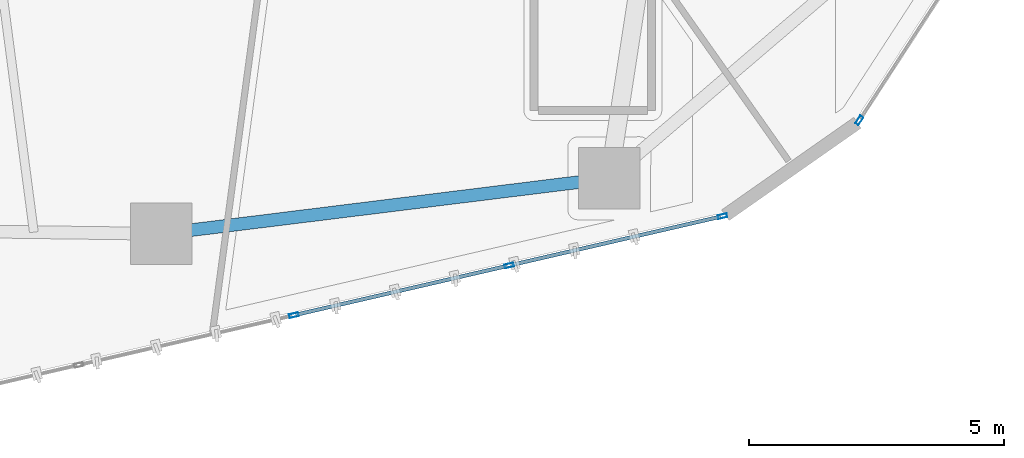
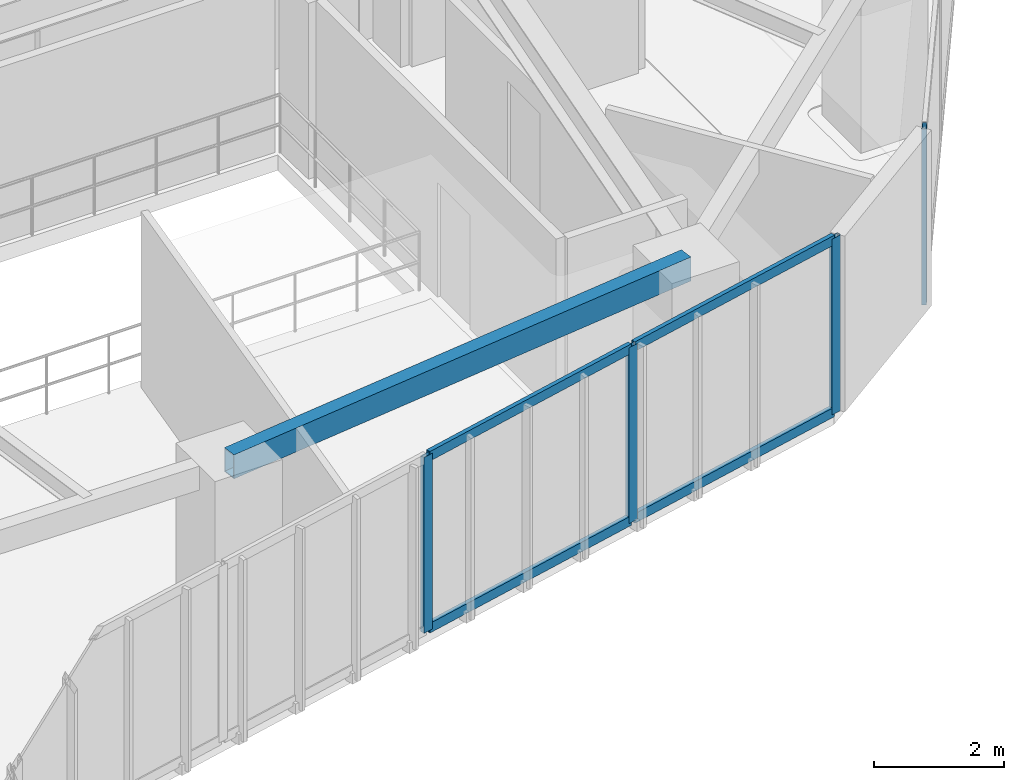
# One storey, part 6 of 21: 8 members, 1 beam, 2 elements without a shape of their own.
"""IFC4 building model written with IfcOpenShell, lengths in metres."""

from ifc_helpers import new_model, si_unit, direction, frame, origin, origin_2d, place, context, subcontext, project, spatial, hollow_rectangle, extrude, source, transform, mapped, material, layer, layer_set, material_profile, profile_set, type_object, type_shapes, element, aggregate, save


model = new_model("IFC4")

# Units and contexts
model_context = context("Model", 3, precision=1e-05, world=origin(), true_north=direction((0.0, 1.0)))
body_context = subcontext(model_context, "Body", "Model", "MODEL_VIEW")
ifc_project = project(units=[si_unit("LENGTHUNIT", "METRE"), si_unit("AREAUNIT", "SQUARE_METRE"), si_unit("VOLUMEUNIT", "CUBIC_METRE"), si_unit("PLANEANGLEUNIT", "RADIAN"), si_unit("MASSUNIT", "GRAM", prefix="KILO")], contexts=[model_context])

# Site, building, storey
site_placement = place(None, origin())
site = spatial("IfcSite", under=ifc_project, at=site_placement, CompositionType="ELEMENT")
building_placement = place(site_placement, origin())
building = spatial("IfcBuilding", under=site, at=building_placement, Name="Talar Marvaseh", CompositionType="ELEMENT")
storey_placement = place(building_placement, frame((0.0, 0.0, 129.0)))
storey = spatial("IfcBuildingStorey", under=building, at=storey_placement, Name="L33", CompositionType="ELEMENT", Elevation=129.0)

# Beam
ifc_material_1 = material(Name="Steel S355", Category="steel")
ifc_material_profile_1 = material_profile(ifc_material_1, hollow_rectangle(XDim=0.25, YDim=0.449951171875, WallThickness=0.01611328125, at=origin_2d()), Name="RHS450x250x16")
ifc_profile_set_1 = profile_set([ifc_material_profile_1], Name="Steel S355")
beam_type = type_object("IfcBeamType", Name="Zone 2 Perimeter Spandrel Beam RHS450x250x16", PredefinedType="SPANDREL", material=ifc_profile_set_1)
beam_placement = place(storey_placement, frame((31.570068359375, 14.26806640625, 3.0849609375), z_axis=(-0.992426007218, -0.122843885468, 0.0), x_axis=(0.122843885468, -0.992426007218, 0.0)))
element("IfcBeam", 1, at=beam_placement, inside=storey, type_object=beam_type, Name="L33 Zone 2 Perimeter Spandrel Beam RHS450x250x16", PredefinedType="SPANDREL", context=body_context, shape_type="SweptSolid", body=[
    extrude(hollow_rectangle(XDim=0.25, YDim=0.449951171875, WallThickness=0.01611328125, at=origin_2d()), origin(), (0.0, 0.0, 1.0), 8.83203125),
])

# Curtain wall, member
ifc_material_2 = material(Name="Architectural Aluminium", Category="aluminium")
ifc_layer = layer(ifc_material_2, 0.199951171875)
ifc_layer_set = layer_set([ifc_layer], Name="Architectural Aluminium")
curtain_wall_type = type_object("IfcCurtainWallType", Name="Unitised Acoustic Library Curtain Wall Z2", PredefinedType="NOTDEFINED", material=ifc_layer_set)
curtain_wall_1_placement = place(storey_placement, origin())
curtain_wall_1 = element("IfcCurtainWall", 2, at=curtain_wall_1_placement, inside=storey, type_object=curtain_wall_type, Name="L33 Unitised Acoustic Library Curtain Wall Z2", PredefinedType="NOTDEFINED")
ifc_material_profile_2 = material_profile(ifc_material_2, hollow_rectangle(XDim=0.074951171875, YDim=0.179931640625, WallThickness=0.0048828125, at=origin_2d()), Name="RHS180x75x5")
ifc_profile_set_2 = profile_set([ifc_material_profile_2], Name="Architectural Aluminium")
member_type_1 = type_object("IfcMemberType", Name="Unitised Curtain Wall Standard Mullion RHS180x75x5", PredefinedType="MULLION", material=ifc_profile_set_2)
shared_shape_1 = source(origin(), body_context, "Body", "SweptSolid", [
    extrude(hollow_rectangle(XDim=0.074951171875, YDim=0.179931640625, WallThickness=0.0048828125, at=origin_2d()), origin(), (0.0, 0.0, 1.0), 3.31005859375),
])
type_shapes(member_type_1, [shared_shape_1])
member_1_placement = place(storey_placement, frame((36.466064453125, 15.4033203125, 0.0), z_axis=(0.0, 0.0, 1.0), x_axis=(0.838585843215, -0.544769477449, 0.0)))
member_1 = element("IfcMember", 3, at=member_1_placement, type_object=member_type_1, Name="CW-Z2 mullion 6", PredefinedType="MULLION", context=body_context, shape_type="MappedRepresentation", body=[
    mapped(shared_shape_1, transform((0.0, 0.0, 0.0), x_axis=(1.0, 0.0, 0.0), y_axis=(0.0, 1.0, 0.0), z_axis=(0.0, 0.0, 1.0), scale=1.0)),
])
aggregate(curtain_wall_1, [member_1])

# Curtain wall, members
curtain_wall_2_placement = place(storey_placement, origin())
curtain_wall_2 = element("IfcCurtainWall", 4, at=curtain_wall_2_placement, inside=storey, type_object=curtain_wall_type, Name="L33 Unitised Acoustic Library Curtain Wall Z2", PredefinedType="NOTDEFINED")
member_2_placement = place(storey_placement, frame((33.78759765625, 13.52783203125, 0.0), z_axis=(0.0, 0.0, 1.0), x_axis=(0.225103422614, -0.974334875249, 0.0)))
member_2 = element("IfcMember", 5, at=member_2_placement, type_object=member_type_1, Name="CW-Z2 mullion 1", PredefinedType="MULLION", context=body_context, shape_type="MappedRepresentation", body=[
    mapped(shared_shape_1, transform((0.0, 0.0, 0.0), x_axis=(1.0, 0.0, 0.0), y_axis=(0.0, 1.0, 0.0), z_axis=(0.0, 0.0, 1.0), scale=1.0)),
])
member_3_placement = place(storey_placement, frame((29.611572265625, 12.56298828125, 0.0), z_axis=(0.0, 0.0, 1.0), x_axis=(0.225103422614, -0.974334875249, 0.0)))
member_3 = element("IfcMember", 6, at=member_3_placement, type_object=member_type_1, Name="CW-Z2 mullion 2", PredefinedType="MULLION", context=body_context, shape_type="MappedRepresentation", body=[
    mapped(shared_shape_1, transform((0.0, 0.0, 0.0), x_axis=(1.0, 0.0, 0.0), y_axis=(0.0, 1.0, 0.0), z_axis=(0.0, 0.0, 1.0), scale=1.0)),
])
member_4_placement = place(storey_placement, frame((25.399169921875, 11.589599609375, 0.0), z_axis=(0.0, 0.0, 1.0), x_axis=(0.225103422614, -0.974334875249, 0.0)))
member_4 = element("IfcMember", 7, at=member_4_placement, type_object=member_type_1, Name="CW-Z2 mullion 3", PredefinedType="MULLION", context=body_context, shape_type="MappedRepresentation", body=[
    mapped(shared_shape_1, transform((0.0, 0.0, 0.0), x_axis=(1.0, 0.0, 0.0), y_axis=(0.0, 1.0, 0.0), z_axis=(0.0, 0.0, 1.0), scale=1.0)),
])
ifc_material_profile_3 = material_profile(ifc_material_2, hollow_rectangle(XDim=0.074951171875, YDim=0.179931640625, WallThickness=0.0048828125, at=origin_2d()), Name="RHS180x75x5")
ifc_profile_set_3 = profile_set([ifc_material_profile_3], Name="Architectural Aluminium")
member_type_2 = type_object("IfcMemberType", Name="Unitised Curtain Wall Transom RHS180x75x5", PredefinedType="USERDEFINED", material=ifc_profile_set_3)
shared_shape_2 = source(origin(), body_context, "Body", "SweptSolid", [
    extrude(hollow_rectangle(XDim=0.074951171875, YDim=0.179931640625, WallThickness=0.0048828125, at=origin_2d()), origin(), (0.0, 0.0, 1.0), 4.211181640625),
])
member_5_placement = place(storey_placement, frame((33.751220703125, 13.519287109375, 0.03759765625), z_axis=(-0.974331557725, -0.225117781664, 0.0), x_axis=(0.225117781664, -0.974331557725, 0.0)))
member_5 = element("IfcMember", 8, at=member_5_placement, type_object=member_type_2, Name="CW-Z2 transom 1.1", ObjectType="TRANSOM", PredefinedType="USERDEFINED", context=body_context, shape_type="MappedRepresentation", body=[
    mapped(shared_shape_2, transform((0.0, 0.0, 0.0), x_axis=(1.0, 0.0, 0.0), y_axis=(0.0, 1.0, 0.0), z_axis=(0.0, 0.0, 1.0), scale=1.0)),
])
member_6_placement = place(storey_placement, frame((33.751220703125, 13.519287109375, 3.2724609375), z_axis=(-0.974331557725, -0.225117781664, 0.0), x_axis=(0.225117781664, -0.974331557725, 0.0)))
member_6 = element("IfcMember", 9, at=member_6_placement, type_object=member_type_2, Name="CW-Z2 transom 1.2", ObjectType="TRANSOM", PredefinedType="USERDEFINED", context=body_context, shape_type="MappedRepresentation", body=[
    mapped(shared_shape_2, transform((0.0, 0.0, 0.0), x_axis=(1.0, 0.0, 0.0), y_axis=(0.0, 1.0, 0.0), z_axis=(0.0, 0.0, 1.0), scale=1.0)),
])
shared_shape_3 = source(origin(), body_context, "Body", "SweptSolid", [
    extrude(hollow_rectangle(XDim=0.074951171875, YDim=0.179931640625, WallThickness=0.0048828125, at=origin_2d()), origin(), (0.0, 0.0, 1.0), 4.248779296875),
])
type_shapes(member_type_2, [shared_shape_2, shared_shape_3])
member_7_placement = place(storey_placement, frame((29.5751953125, 12.554443359375, 0.03759765625), z_axis=(-0.974339841146, -0.22508192721, 0.0), x_axis=(0.22508192721, -0.974339841146, 0.0)))
member_7 = element("IfcMember", 10, at=member_7_placement, type_object=member_type_2, Name="CW-Z2 transom 2.1", ObjectType="TRANSOM", PredefinedType="USERDEFINED", context=body_context, shape_type="MappedRepresentation", body=[
    mapped(shared_shape_3, transform((0.0, 0.0, 0.0), x_axis=(1.0, 0.0, 0.0), y_axis=(0.0, 1.0, 0.0), z_axis=(0.0, 0.0, 1.0), scale=1.0)),
])
member_8_placement = place(storey_placement, frame((29.5751953125, 12.554443359375, 3.2724609375), z_axis=(-0.974339841146, -0.22508192721, 0.0), x_axis=(0.22508192721, -0.974339841146, 0.0)))
member_8 = element("IfcMember", 11, at=member_8_placement, type_object=member_type_2, Name="CW-Z2 transom 2.2", ObjectType="TRANSOM", PredefinedType="USERDEFINED", context=body_context, shape_type="MappedRepresentation", body=[
    mapped(shared_shape_3, transform((0.0, 0.0, 0.0), x_axis=(1.0, 0.0, 0.0), y_axis=(0.0, 1.0, 0.0), z_axis=(0.0, 0.0, 1.0), scale=1.0)),
])
aggregate(curtain_wall_2, [member_2, member_3, member_4, member_5, member_6, member_7, member_8])

save(model, "model.ifc")
